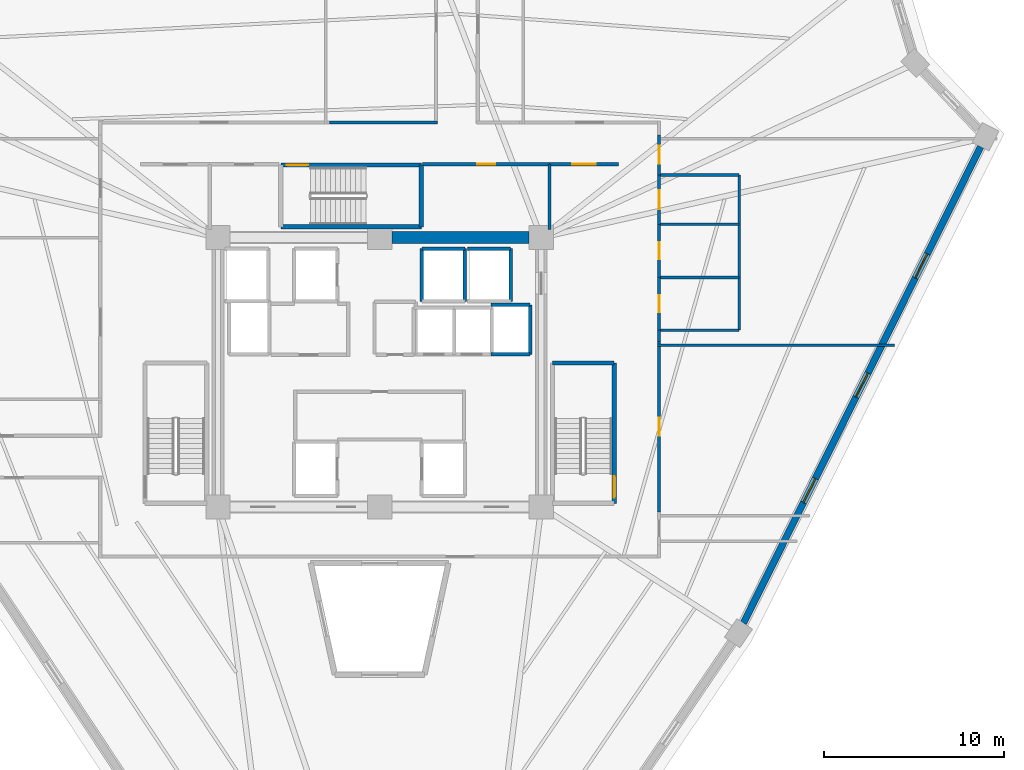
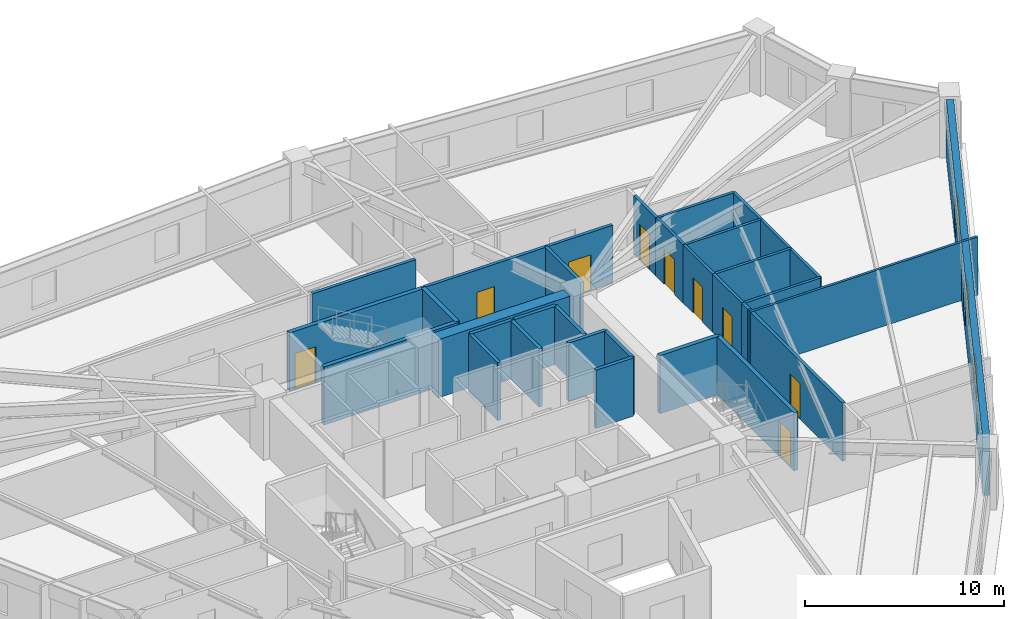
# One storey, part 6 of 8: 31 walls, 9 doors, 3 windows, 12 openings.
"""IFC4 building model written with IfcOpenShell, lengths in metres."""

from ifc_helpers import new_model, si_unit, direction, frame, frame_2d, origin, place, context, subcontext, project, spatial, rectangle, extrude, source, transform, mapped, material, layer, layer_set, type_object, element, fill, save


model = new_model("IFC4")

# Units and contexts
model_context = context("Model", 3, precision=1e-05, world=origin(), true_north=direction((0.0, 1.0)))
body_context = subcontext(model_context, "Body", "Model", "MODEL_VIEW")
ifc_project = project(units=[si_unit("LENGTHUNIT", "METRE"), si_unit("AREAUNIT", "SQUARE_METRE"), si_unit("VOLUMEUNIT", "CUBIC_METRE"), si_unit("PLANEANGLEUNIT", "RADIAN"), si_unit("MASSUNIT", "GRAM", prefix="KILO")], contexts=[model_context])

# Site, building, storey
site_placement = place(None, origin())
site = spatial("IfcSite", under=ifc_project, at=site_placement, CompositionType="ELEMENT")
building_placement = place(site_placement, origin())
building = spatial("IfcBuilding", under=site, at=building_placement, Name="Liaohun Quay Tower", CompositionType="ELEMENT")
storey_placement = place(building_placement, frame((0.0, 0.0, 209.25)))
storey = spatial("IfcBuildingStorey", under=building, at=storey_placement, Name="L54", CompositionType="ELEMENT", Elevation=209.25)

# Wall
ifc_material_1 = material(Name="Concrete C55", Category="concrete")
ifc_layer_1 = layer(ifc_material_1, 0.64990234375, Name="Concrete C55", Category="concrete")
ifc_layer_set_1 = layer_set([ifc_layer_1], Name="Concrete C55")
wall_type_1 = type_object("IfcWallType", Name="WAL-COR-Z3", PredefinedType="SHEAR", material=ifc_layer_set_1)
wall_1_placement = place(storey_placement, frame((60.675048828125, 61.5, 0.0), z_axis=(0.0, 0.0, 1.0), x_axis=(1.0, 0.0, 0.0)))
element("IfcWall", 1, at=wall_1_placement, inside=storey, type_object=wall_type_1, Name="L54 Central Core Shear Wall N-E", PredefinedType="SHEAR", context=body_context, shape_type="SweptSolid", body=[
    extrude(rectangle(XDim=7.64990234375, YDim=0.64990234375, at=frame_2d((3.824951171875, 0.0))), origin(), (0.0, 0.0, 1.0), 3.570068359375),
])

# Wall, openings, windows
ifc_material_2 = material(Name="Precast concrete C50 insulated sandwich", Category="concrete")
ifc_layer_2 = layer(ifc_material_2, 0.3798828125, Name="Precast concrete C50 insulated sandwich", Category="concrete")
ifc_layer_set_2 = layer_set([ifc_layer_2], Name="Precast concrete C50 insulated sandwich")
wall_type_2 = type_object("IfcWallType", Name="WAL-EXT-Z34", PredefinedType="SOLIDWALL", material=ifc_layer_set_2)
wall_2_placement = place(storey_placement, frame((80.2490234375, 40.02392578125, 0.0), z_axis=(0.0, 0.0, 1.0), x_axis=(0.445750225077, 0.895157381047, 0.0)))
wall_2 = element("IfcWall", 2, at=wall_2_placement, inside=storey, type_object=wall_type_2, Name="L54 Brutalist Precast Pier Wall 03", PredefinedType="SOLIDWALL", context=body_context, shape_type="SweptSolid", body=[
    extrude(rectangle(XDim=29.641845703125, YDim=0.3798828125, at=frame_2d((14.82080078125, 0.0))), origin(), (0.0, 0.0, 1.0), 3.570068359375),
])
shared_shape_1 = source(origin(), body_context, "Body", "SweptSolid", [
    extrude(rectangle(XDim=1.5, YDim=1.89990234375, at=frame_2d((0.75, 0.949951171875))), frame((0.0, 0.199951171875, 0.0), z_axis=(0.0, -1.0, 0.0), x_axis=(1.0, 0.0, 0.0)), (0.0, 0.0, 1.0), 0.39990234375),
])
opening_1_placement = place(wall_2_placement, frame((7.510009765625, 0.0, 0.550048828125)))
opening_1 = element("IfcOpeningElement", 3, at=opening_1_placement, cuts=wall_2, Name="Opening W03", PredefinedType="OPENING", context=body_context, shape_type="MappedRepresentation", body=[
    mapped(shared_shape_1, transform((0.0, 0.0, 0.0), x_axis=(1.0, 0.0, 0.0), y_axis=(0.0, 1.0, 0.0), z_axis=(0.0, 0.0, 1.0), scale=1.0)),
])
opening_2_placement = place(wall_2_placement, frame((14.071044921875, 0.0, 0.550048828125)))
opening_2 = element("IfcOpeningElement", 4, at=opening_2_placement, cuts=wall_2, Name="Opening W03", PredefinedType="OPENING", context=body_context, shape_type="MappedRepresentation", body=[
    mapped(shared_shape_1, transform((0.0, 0.0, 0.0), x_axis=(1.0, 0.0, 0.0), y_axis=(0.0, 1.0, 0.0), z_axis=(0.0, 0.0, 1.0), scale=1.0)),
])
opening_3_placement = place(wall_2_placement, frame((21.48095703125, 0.0, 0.550048828125)))
opening_3 = element("IfcOpeningElement", 5, at=opening_3_placement, cuts=wall_2, Name="Opening W03", PredefinedType="OPENING", context=body_context, shape_type="MappedRepresentation", body=[
    mapped(shared_shape_1, transform((0.0, 0.0, 0.0), x_axis=(1.0, 0.0, 0.0), y_axis=(0.0, 1.0, 0.0), z_axis=(0.0, 0.0, 1.0), scale=1.0)),
])
ifc_material_3 = material(Name="Triple Low-E argon glazing in thermally broken aluminium", Category="aluminium")
window_type = type_object("IfcWindowType", Name="WIN-PUN-Z3", PartitioningType="DOUBLE_PANEL_VERTICAL", PredefinedType="WINDOW", material=ifc_material_3)
shared_shape_2 = source(origin(), body_context, "Body", "SweptSolid", [
    extrude(rectangle(XDim=1.5, YDim=1.89990234375, at=frame_2d((0.75, 0.949951171875))), frame((0.0, 0.030029296875, 0.0), z_axis=(0.0, -1.0, 0.0), x_axis=(1.0, 0.0, 0.0)), (0.0, 0.0, 1.0), 0.06005859375),
])
window_1_placement = place(opening_1_placement, origin())
window_1 = element("IfcWindow", 6, at=window_1_placement, inside=storey, type_object=window_type, Name="L54 Recessed Cold-Climate Punched Window 03-1", OverallHeight=1.89990234375, OverallWidth=1.5, PartitioningType="DOUBLE_PANEL_VERTICAL", PredefinedType="WINDOW", context=body_context, shape_type="MappedRepresentation", body=[
    mapped(shared_shape_2, transform((0.0, 0.0, 0.0), x_axis=(1.0, 0.0, 0.0), y_axis=(0.0, 1.0, 0.0), z_axis=(0.0, 0.0, 1.0), scale=1.0)),
])
fill(opening_1, window_1)
window_2_placement = place(opening_2_placement, origin())
window_2 = element("IfcWindow", 7, at=window_2_placement, inside=storey, type_object=window_type, Name="L54 Recessed Cold-Climate Punched Window 03-2", OverallHeight=1.89990234375, OverallWidth=1.5, PartitioningType="DOUBLE_PANEL_VERTICAL", PredefinedType="WINDOW", context=body_context, shape_type="MappedRepresentation", body=[
    mapped(shared_shape_2, transform((0.0, 0.0, 0.0), x_axis=(1.0, 0.0, 0.0), y_axis=(0.0, 1.0, 0.0), z_axis=(0.0, 0.0, 1.0), scale=1.0)),
])
fill(opening_2, window_2)
window_3_placement = place(opening_3_placement, origin())
window_3 = element("IfcWindow", 8, at=window_3_placement, inside=storey, type_object=window_type, Name="L54 Recessed Cold-Climate Punched Window 03-3", OverallHeight=1.89990234375, OverallWidth=1.5, PartitioningType="DOUBLE_PANEL_VERTICAL", PredefinedType="WINDOW", context=body_context, shape_type="MappedRepresentation", body=[
    mapped(shared_shape_2, transform((0.0, 0.0, 0.0), x_axis=(1.0, 0.0, 0.0), y_axis=(0.0, 1.0, 0.0), z_axis=(0.0, 0.0, 1.0), scale=1.0)),
])
fill(opening_3, window_3)

# Wall, opening, door
ifc_material_4 = material(Name="Autoclaved aerated concrete blockwork", Category="masonry")
ifc_layer_3 = layer(ifc_material_4, 0.179931640625, Name="Autoclaved aerated concrete blockwork", Category="masonry")
ifc_layer_set_3 = layer_set([ifc_layer_3], Name="Autoclaved aerated concrete blockwork")
wall_type_3 = type_object("IfcWallType", Name="WAL-PRT-COR", PredefinedType="PARTITIONING", material=ifc_layer_set_3)
wall_3_placement = place(storey_placement, frame((62.389892578125, 65.580078125, 0.0), z_axis=(0.0, 0.0, 1.0), x_axis=(1.0, 0.0, 0.0)))
wall_3 = element("IfcWall", 9, at=wall_3_placement, inside=storey, type_object=wall_type_3, Name="L54 Interior Partition Wall 008", PredefinedType="PARTITIONING", context=body_context, shape_type="SweptSolid", body=[
    extrude(rectangle(XDim=7.070068359375, YDim=0.179931640625, at=frame_2d((3.53515625, 0.0))), origin(), (0.0, 0.0, 1.0), 3.570068359375),
])
shared_shape_3 = source(origin(), body_context, "Body", "SweptSolid", [
    extrude(rectangle(XDim=1.0, YDim=2.199951171875, at=frame_2d((0.5, 1.10009765625))), frame((0.0, 0.099853515625, 0.0), z_axis=(0.0, -1.0, 0.0), x_axis=(1.0, 0.0, 0.0)), (0.0, 0.0, 1.0), 0.199951171875),
])
opening_4_placement = place(wall_3_placement, frame((3.034912109375, 0.0, 0.0)))
opening_4 = element("IfcOpeningElement", 10, at=opening_4_placement, cuts=wall_3, Name="Opening OD1", PredefinedType="OPENING", context=body_context, shape_type="MappedRepresentation", body=[
    mapped(shared_shape_3, transform((0.0, 0.0, 0.0), x_axis=(1.0, 0.0, 0.0), y_axis=(0.0, 1.0, 0.0), z_axis=(0.0, 0.0, 1.0), scale=1.0)),
])
ifc_material_5 = material(Name="Solid-core oak veneer timber leaf in steel frame", Category="steel")
door_type_1 = type_object("IfcDoorType", Name="DOR-OFF-1000", OperationType="NOTDEFINED", PredefinedType="DOOR", material=ifc_material_5)
shared_shape_4 = source(origin(), body_context, "Body", "SweptSolid", [
    extrude(rectangle(XDim=1.0, YDim=2.199951171875, at=frame_2d((0.5, 1.10009765625))), frame((0.0, 0.02490234375, 0.0), z_axis=(0.0, -1.0, 0.0), x_axis=(1.0, 0.0, 0.0)), (0.0, 0.0, 1.0), 0.050048828125),
])
door_1_placement = place(opening_4_placement, origin())
door_1 = element("IfcDoor", 11, at=door_1_placement, inside=storey, type_object=door_type_1, Name="L54 North-East Archive and Mail Room Door", OperationType="SINGLE_SWING_LEFT", OverallHeight=2.199951171875, OverallWidth=1.0, PredefinedType="DOOR", context=body_context, shape_type="MappedRepresentation", body=[
    mapped(shared_shape_4, transform((0.0, 0.0, 0.0), x_axis=(1.0, 0.0, 0.0), y_axis=(0.0, 1.0, 0.0), z_axis=(0.0, 0.0, 1.0), scale=1.0)),
])
fill(opening_4, door_1)

wall_4_placement = place(storey_placement, frame((69.4599609375, 65.580078125, 0.0), z_axis=(0.0, 0.0, 1.0), x_axis=(1.0, 0.0, 0.0)))
wall_4 = element("IfcWall", 12, at=wall_4_placement, inside=storey, type_object=wall_type_3, Name="L54 Interior Partition Wall 010", PredefinedType="PARTITIONING", context=body_context, shape_type="SweptSolid", body=[
    extrude(rectangle(XDim=3.840087890625, YDim=0.179931640625, at=frame_2d((1.919921875, 0.0))), origin(), (0.0, 0.0, 1.0), 3.570068359375),
])
shared_shape_5 = source(origin(), body_context, "Body", "SweptSolid", [
    extrude(rectangle(XDim=1.300048828125, YDim=2.199951171875, at=frame_2d((0.64990234375, 1.10009765625))), frame((0.0, 0.099853515625, 0.0), z_axis=(0.0, -1.0, 0.0), x_axis=(1.0, 0.0, 0.0)), (0.0, 0.0, 1.0), 0.199951171875),
])
opening_5_placement = place(wall_4_placement, frame((1.27001953125, 0.0, 0.0)))
opening_5 = element("IfcOpeningElement", 13, at=opening_5_placement, cuts=wall_4, Name="Opening FD1", PredefinedType="OPENING", context=body_context, shape_type="MappedRepresentation", body=[
    mapped(shared_shape_5, transform((0.0, 0.0, 0.0), x_axis=(1.0, 0.0, 0.0), y_axis=(0.0, 1.0, 0.0), z_axis=(0.0, 0.0, 1.0), scale=1.0)),
])
ifc_material_6 = material(Name="Galvanised steel smokeproof fire door", Category="steel")
door_type_2 = type_object("IfcDoorType", Name="DOR-FFL-1300", OperationType="NOTDEFINED", PredefinedType="DOOR", material=ifc_material_6)
shared_shape_6 = source(origin(), body_context, "Body", "SweptSolid", [
    extrude(rectangle(XDim=1.300048828125, YDim=2.199951171875, at=frame_2d((0.64990234375, 1.10009765625))), frame((0.0, 0.02490234375, 0.0), z_axis=(0.0, -1.0, 0.0), x_axis=(1.0, 0.0, 0.0)), (0.0, 0.0, 1.0), 0.050048828125),
])
door_2_placement = place(opening_5_placement, origin())
door_2 = element("IfcDoor", 14, at=door_2_placement, inside=storey, type_object=door_type_2, Name="L54 East Core Vestibule Door", OperationType="SINGLE_SWING_LEFT", OverallHeight=2.199951171875, OverallWidth=1.300048828125, PredefinedType="DOOR", context=body_context, shape_type="MappedRepresentation", body=[
    mapped(shared_shape_6, transform((0.0, 0.0, 0.0), x_axis=(1.0, 0.0, 0.0), y_axis=(0.0, 1.0, 0.0), z_axis=(0.0, 0.0, 1.0), scale=1.0)),
])
fill(opening_5, door_2)

wall_5_placement = place(storey_placement, frame((75.56005859375, 67.215087890625, 0.0), z_axis=(0.0, 0.0, 1.0), x_axis=(0.0, -1.0, 0.0)))
wall_5 = element("IfcWall", 15, at=wall_5_placement, inside=storey, type_object=wall_type_3, Name="L54 Interior Partition Wall 011", PredefinedType="PARTITIONING", context=body_context, shape_type="SweptSolid", body=[
    extrude(rectangle(XDim=2.235107421875, YDim=0.179931640625, at=frame_2d((1.11767578125, 0.0))), origin(), (0.0, 0.0, 1.0), 3.570068359375),
])
opening_6_placement = place(wall_5_placement, frame((0.616943359375, 0.0, 0.0)))
opening_6 = element("IfcOpeningElement", 16, at=opening_6_placement, cuts=wall_5, Name="Opening OD1", PredefinedType="OPENING", context=body_context, shape_type="MappedRepresentation", body=[
    mapped(shared_shape_3, transform((0.0, 0.0, 0.0), x_axis=(1.0, 0.0, 0.0), y_axis=(0.0, 1.0, 0.0), z_axis=(0.0, 0.0, 1.0), scale=1.0)),
])
door_3_placement = place(opening_6_placement, origin())
door_3 = element("IfcDoor", 17, at=door_3_placement, inside=storey, type_object=door_type_1, Name="L54 Staff Daycare Nursery 01 Door", OperationType="SINGLE_SWING_RIGHT", OverallHeight=2.199951171875, OverallWidth=1.0, PredefinedType="DOOR", context=body_context, shape_type="MappedRepresentation", body=[
    mapped(shared_shape_4, transform((0.0, 0.0, 0.0), x_axis=(1.0, 0.0, 0.0), y_axis=(0.0, 1.0, 0.0), z_axis=(0.0, 0.0, 1.0), scale=1.0)),
])
fill(opening_6, door_3)

wall_6_placement = place(storey_placement, frame((75.56005859375, 55.715087890625, 0.0), z_axis=(0.0, 0.0, 1.0), x_axis=(0.0, -1.0, 0.0)))
wall_6 = element("IfcWall", 18, at=wall_6_placement, inside=storey, type_object=wall_type_3, Name="L54 Interior Partition Wall 022", PredefinedType="PARTITIONING", context=body_context, shape_type="SweptSolid", body=[
    extrude(rectangle(XDim=9.5, YDim=0.179931640625, at=frame_2d((4.75, 0.0))), origin(), (0.0, 0.0, 1.0), 3.570068359375),
])
opening_7_placement = place(wall_6_placement, frame((4.25, 0.0, 0.0)))
opening_7 = element("IfcOpeningElement", 19, at=opening_7_placement, cuts=wall_6, Name="Opening OD1", PredefinedType="OPENING", context=body_context, shape_type="MappedRepresentation", body=[
    mapped(shared_shape_3, transform((0.0, 0.0, 0.0), x_axis=(1.0, 0.0, 0.0), y_axis=(0.0, 1.0, 0.0), z_axis=(0.0, 0.0, 1.0), scale=1.0)),
])
door_4_placement = place(opening_7_placement, origin())
door_4 = element("IfcDoor", 20, at=door_4_placement, inside=storey, type_object=door_type_1, Name="L54 Client Reception Office 12 Door", OperationType="SINGLE_SWING_LEFT", OverallHeight=2.199951171875, OverallWidth=1.0, PredefinedType="DOOR", context=body_context, shape_type="MappedRepresentation", body=[
    mapped(shared_shape_4, transform((0.0, 0.0, 0.0), x_axis=(1.0, 0.0, 0.0), y_axis=(0.0, 1.0, 0.0), z_axis=(0.0, 0.0, 1.0), scale=1.0)),
])
fill(opening_7, door_4)

# Walls
wall_7_placement = place(storey_placement, frame((69.4599609375, 61.949951171875, 0.0), z_axis=(0.0, 0.0, 1.0), x_axis=(0.0, 1.0, 0.0)))
element("IfcWall", 21, at=wall_7_placement, inside=storey, type_object=wall_type_3, Name="L54 Interior Partition Wall 032", PredefinedType="PARTITIONING", context=body_context, shape_type="SweptSolid", body=[
    extrude(rectangle(XDim=3.630126953125, YDim=0.179931640625, at=frame_2d((1.81494140625, 0.0))), origin(), (0.0, 0.0, 1.0), 3.570068359375),
])
wall_8_placement = place(storey_placement, frame((75.56005859375, 56.340087890625, 0.0), z_axis=(0.0, 0.0, 1.0), x_axis=(0.0, -1.0, 0.0)))
element("IfcWall", 22, at=wall_8_placement, inside=storey, type_object=wall_type_3, Name="L54 Interior Partition Wall 033", PredefinedType="PARTITIONING", context=body_context, shape_type="SweptSolid", body=[
    extrude(rectangle(XDim=0.625, YDim=0.179931640625, at=frame_2d((0.3125, 0.0))), origin(), (0.0, 0.0, 1.0), 3.570068359375),
])
wall_9_placement = place(storey_placement, frame((57.215087890625, 67.909912109375, 0.0), z_axis=(0.0, 0.0, 1.0), x_axis=(1.0, 0.0, 0.0)))
element("IfcWall", 23, at=wall_9_placement, inside=storey, type_object=wall_type_3, Name="L54 Interior Partition Wall 036", PredefinedType="PARTITIONING", context=body_context, shape_type="SweptSolid", body=[
    extrude(rectangle(XDim=5.994873046875, YDim=0.179931640625, at=frame_2d((2.99755859375, 0.0))), origin(), (0.0, 0.0, 1.0), 3.570068359375),
])
ifc_material_7 = material(Name="Gypsum board on twin steel studs", Category="steel")
ifc_layer_4 = layer(ifc_material_7, 0.139892578125, Name="Gypsum board on twin steel studs", Category="steel")
ifc_layer_set_4 = layer_set([ifc_layer_4], Name="Gypsum board on twin steel studs")
wall_type_4 = type_object("IfcWallType", Name="WAL-PRT-OFF", PredefinedType="PARTITIONING", material=ifc_layer_set_4)
wall_10_placement = place(storey_placement, frame((75.4599609375, 55.5, 0.0), z_axis=(0.0, 0.0, 1.0), x_axis=(1.0, 0.0, 0.0)))
element("IfcWall", 24, at=wall_10_placement, inside=storey, type_object=wall_type_4, Name="L54 Interior Partition Wall 048", PredefinedType="PARTITIONING", context=body_context, shape_type="SweptSolid", body=[
    extrude(rectangle(XDim=13.198974609375, YDim=0.139892578125, at=frame_2d((6.599609375, 0.0))), origin(), (0.0, 0.0, 1.0), 3.570068359375),
])

# Wall, opening, door
ifc_material_8 = material(Name="Moisture-resistant masonry blockwork", Category="masonry")
ifc_layer_5 = layer(ifc_material_8, 0.159912109375, Name="Moisture-resistant masonry blockwork", Category="masonry")
ifc_layer_set_5 = layer_set([ifc_layer_5], Name="Moisture-resistant masonry blockwork")
wall_type_5 = type_object("IfcWallType", Name="WAL-PRT-WET", PredefinedType="PARTITIONING", material=ifc_layer_set_5)
wall_11_placement = place(storey_placement, frame((75.56005859375, 56.340087890625, 0.0), z_axis=(0.0, 0.0, 1.0), x_axis=(0.0, 1.0, 0.0)))
wall_11 = element("IfcWall", 25, at=wall_11_placement, inside=storey, type_object=wall_type_5, Name="L54 Interior Partition Wall 004", PredefinedType="PARTITIONING", context=body_context, shape_type="SweptSolid", body=[
    extrude(rectangle(XDim=2.93994140625, YDim=0.159912109375, at=frame_2d((1.469970703125, 0.0))), origin(), (0.0, 0.0, 1.0), 3.570068359375),
])
shared_shape_7 = source(origin(), body_context, "Body", "SweptSolid", [
    extrude(rectangle(XDim=0.949951171875, YDim=2.14990234375, at=frame_2d((0.47509765625, 1.074951171875))), frame((0.0, 0.08984375, 0.0), z_axis=(0.0, -1.0, 0.0), x_axis=(1.0, 0.0, 0.0)), (0.0, 0.0, 1.0), 0.179931640625),
])
opening_8_placement = place(wall_11_placement, frame((0.9951171875, 0.0, 0.0)))
opening_8 = element("IfcOpeningElement", 26, at=opening_8_placement, cuts=wall_11, Name="Opening WD1", PredefinedType="OPENING", context=body_context, shape_type="MappedRepresentation", body=[
    mapped(shared_shape_7, transform((0.0, 0.0, 0.0), x_axis=(1.0, 0.0, 0.0), y_axis=(0.0, 1.0, 0.0), z_axis=(0.0, 0.0, 1.0), scale=1.0)),
])
ifc_material_9 = material(Name="Moisture-resistant laminate timber leaf", Category="wood")
door_type_3 = type_object("IfcDoorType", Name="DOR-WC-950", OperationType="NOTDEFINED", PredefinedType="DOOR", material=ifc_material_9)
shared_shape_8 = source(origin(), body_context, "Body", "SweptSolid", [
    extrude(rectangle(XDim=0.949951171875, YDim=2.14990234375, at=frame_2d((0.47509765625, 1.074951171875))), frame((0.0, 0.02490234375, 0.0), z_axis=(0.0, -1.0, 0.0), x_axis=(1.0, 0.0, 0.0)), (0.0, 0.0, 1.0), 0.050048828125),
])
door_5_placement = place(opening_8_placement, origin())
door_5 = element("IfcDoor", 27, at=door_5_placement, inside=storey, type_object=door_type_3, Name="L54 Male Restroom WC Door", OperationType="SINGLE_SWING_LEFT", OverallHeight=2.14990234375, OverallWidth=0.949951171875, PredefinedType="DOOR", context=body_context, shape_type="MappedRepresentation", body=[
    mapped(shared_shape_8, transform((0.0, 0.0, 0.0), x_axis=(1.0, 0.0, 0.0), y_axis=(0.0, 1.0, 0.0), z_axis=(0.0, 0.0, 1.0), scale=1.0)),
])
fill(opening_8, door_5)

wall_12_placement = place(storey_placement, frame((75.56005859375, 59.280029296875, 0.0), z_axis=(0.0, 0.0, 1.0), x_axis=(0.0, 1.0, 0.0)))
wall_12 = element("IfcWall", 28, at=wall_12_placement, inside=storey, type_object=wall_type_5, Name="L54 Interior Partition Wall 005", PredefinedType="PARTITIONING", context=body_context, shape_type="SweptSolid", body=[
    extrude(rectangle(XDim=2.9599609375, YDim=0.159912109375, at=frame_2d((1.47998046875, 0.0))), origin(), (0.0, 0.0, 1.0), 3.570068359375),
])
opening_9_placement = place(wall_12_placement, frame((1.0048828125, 0.0, 0.0)))
opening_9 = element("IfcOpeningElement", 29, at=opening_9_placement, cuts=wall_12, Name="Opening WD1", PredefinedType="OPENING", context=body_context, shape_type="MappedRepresentation", body=[
    mapped(shared_shape_7, transform((0.0, 0.0, 0.0), x_axis=(1.0, 0.0, 0.0), y_axis=(0.0, 1.0, 0.0), z_axis=(0.0, 0.0, 1.0), scale=1.0)),
])
door_6_placement = place(opening_9_placement, origin())
door_6 = element("IfcDoor", 30, at=door_6_placement, inside=storey, type_object=door_type_3, Name="L54 Female Restroom WC Door", OperationType="SINGLE_SWING_RIGHT", OverallHeight=2.14990234375, OverallWidth=0.949951171875, PredefinedType="DOOR", context=body_context, shape_type="MappedRepresentation", body=[
    mapped(shared_shape_8, transform((0.0, 0.0, 0.0), x_axis=(1.0, 0.0, 0.0), y_axis=(0.0, 1.0, 0.0), z_axis=(0.0, 0.0, 1.0), scale=1.0)),
])
fill(opening_9, door_6)

wall_13_placement = place(storey_placement, frame((75.56005859375, 62.239990234375, 0.0), z_axis=(0.0, 0.0, 1.0), x_axis=(0.0, 1.0, 0.0)))
wall_13 = element("IfcWall", 31, at=wall_13_placement, inside=storey, type_object=wall_type_5, Name="L54 Interior Partition Wall 006", PredefinedType="PARTITIONING", context=body_context, shape_type="SweptSolid", body=[
    extrude(rectangle(XDim=2.739990234375, YDim=0.159912109375, at=frame_2d((1.3701171875, 0.0))), origin(), (0.0, 0.0, 1.0), 3.570068359375),
])
shared_shape_9 = source(origin(), body_context, "Body", "SweptSolid", [
    extrude(rectangle(XDim=1.050048828125, YDim=2.14990234375, at=frame_2d((0.52490234375, 1.074951171875))), frame((0.0, 0.08984375, 0.0), z_axis=(0.0, -1.0, 0.0), x_axis=(1.0, 0.0, 0.0)), (0.0, 0.0, 1.0), 0.179931640625),
])
opening_10_placement = place(wall_13_placement, frame((0.844970703125, 0.0, 0.0)))
opening_10 = element("IfcOpeningElement", 32, at=opening_10_placement, cuts=wall_13, Name="Opening WD2", PredefinedType="OPENING", context=body_context, shape_type="MappedRepresentation", body=[
    mapped(shared_shape_9, transform((0.0, 0.0, 0.0), x_axis=(1.0, 0.0, 0.0), y_axis=(0.0, 1.0, 0.0), z_axis=(0.0, 0.0, 1.0), scale=1.0)),
])
ifc_material_10 = material(Name="Accessible outward-swinging laminate door")
door_type_4 = type_object("IfcDoorType", Name="DOR-AWC-1050", OperationType="NOTDEFINED", PredefinedType="DOOR", material=ifc_material_10)
shared_shape_10 = source(origin(), body_context, "Body", "SweptSolid", [
    extrude(rectangle(XDim=1.050048828125, YDim=2.14990234375, at=frame_2d((0.52490234375, 1.074951171875))), frame((0.0, 0.02490234375, 0.0), z_axis=(0.0, -1.0, 0.0), x_axis=(1.0, 0.0, 0.0)), (0.0, 0.0, 1.0), 0.050048828125),
])
door_7_placement = place(opening_10_placement, origin())
door_7 = element("IfcDoor", 33, at=door_7_placement, inside=storey, type_object=door_type_4, Name="L54 Accessible WC Door", OperationType="SINGLE_SWING_LEFT", OverallHeight=2.14990234375, OverallWidth=1.050048828125, PredefinedType="DOOR", context=body_context, shape_type="MappedRepresentation", body=[
    mapped(shared_shape_10, transform((0.0, 0.0, 0.0), x_axis=(1.0, 0.0, 0.0), y_axis=(0.0, 1.0, 0.0), z_axis=(0.0, 0.0, 1.0), scale=1.0)),
])
fill(opening_10, door_7)

# Walls
wall_14_placement = place(storey_placement, frame((80.02001953125, 56.340087890625, 0.0), z_axis=(0.0, 0.0, 1.0), x_axis=(0.0, 1.0, 0.0)))
element("IfcWall", 34, at=wall_14_placement, inside=storey, type_object=wall_type_5, Name="L54 Interior Partition Wall 026", PredefinedType="PARTITIONING", context=body_context, shape_type="SweptSolid", body=[
    extrude(rectangle(XDim=8.639892578125, YDim=0.159912109375, at=frame_2d((4.31982421875, 0.0))), origin(), (0.0, 0.0, 1.0), 3.570068359375),
])
for number, where, z_axis, x_axis, name in (
    (35, (75.56005859375, 56.340087890625, 0.0), (0.0, 0.0, 1.0), (1.0, 0.0, 0.0), "L54 Interior Partition Wall 027"),
    (36, (75.56005859375, 59.280029296875, 0.0), (0.0, 0.0, 1.0), (1.0, 0.0, 0.0), "L54 Interior Partition Wall 028"),
    (37, (75.56005859375, 62.239990234375, 0.0), (0.0, 0.0, 1.0), (1.0, 0.0, 0.0), "L54 Interior Partition Wall 029"),
    (38, (75.56005859375, 64.97998046875, 0.0), (0.0, 0.0, 1.0), (1.0, 0.0, 0.0), "L54 Interior Partition Wall 030"),
):
    element("IfcWall", number, at=place(storey_placement, frame(where, z_axis=z_axis, x_axis=x_axis)), inside=storey, type_object=wall_type_5, Name=name, PredefinedType="PARTITIONING", context=body_context, shape_type="SweptSolid", body=[
        extrude(rectangle(XDim=4.4599609375, YDim=0.159912109375, at=frame_2d((2.22998046875, 0.0))), origin(), (0.0, 0.0, 1.0), 3.570068359375),
    ])

# Wall, opening, door
ifc_material_11 = material(Name="Concrete C50", Category="concrete")
ifc_layer_6 = layer(ifc_material_11, 0.239990234375, Name="Concrete C50", Category="concrete")
ifc_layer_set_6 = layer_set([ifc_layer_6], Name="Concrete C50")
wall_type_6 = type_object("IfcWallType", Name="WAL-SHF-200", PredefinedType="SOLIDWALL", material=ifc_layer_set_6)
wall_15_placement = place(storey_placement, frame((73.06005859375, 46.699951171875, 0.0), z_axis=(0.0, 0.0, 1.0), x_axis=(0.0, 1.0, 0.0)))
wall_15 = element("IfcWall", 39, at=wall_15_placement, inside=storey, type_object=wall_type_6, Name="L54 Stairwell ST-2 Structural Core Wall E", PredefinedType="SOLIDWALL", context=body_context, shape_type="SweptSolid", body=[
    extrude(rectangle(XDim=7.820068359375, YDim=0.239990234375, at=frame_2d((3.91015625, 0.0))), origin(), (0.0, 0.0, 1.0), 3.570068359375),
])
shared_shape_11 = source(origin(), body_context, "Body", "SweptSolid", [
    extrude(rectangle(XDim=1.199951171875, YDim=2.199951171875, at=frame_2d((0.60009765625, 1.10009765625))), frame((0.0, 0.1298828125, 0.0), z_axis=(0.0, -1.0, 0.0), x_axis=(1.0, 0.0, 0.0)), (0.0, 0.0, 1.0), 0.260009765625),
])
opening_11_placement = place(wall_15_placement, frame((0.320068359375, 0.0, 0.0)))
opening_11 = element("IfcOpeningElement", 40, at=opening_11_placement, cuts=wall_15, Name="Opening SD1", PredefinedType="OPENING", context=body_context, shape_type="MappedRepresentation", body=[
    mapped(shared_shape_11, transform((0.0, 0.0, 0.0), x_axis=(1.0, 0.0, 0.0), y_axis=(0.0, 1.0, 0.0), z_axis=(0.0, 0.0, 1.0), scale=1.0)),
])
ifc_material_12 = material(Name="Galvanised steel fire door", Category="steel")
door_type_5 = type_object("IfcDoorType", Name="DOR-STR-1200", OperationType="NOTDEFINED", PredefinedType="DOOR", material=ifc_material_12)
shared_shape_12 = source(origin(), body_context, "Body", "SweptSolid", [
    extrude(rectangle(XDim=1.199951171875, YDim=2.199951171875, at=frame_2d((0.60009765625, 1.10009765625))), frame((0.0, 0.02490234375, 0.0), z_axis=(0.0, -1.0, 0.0), x_axis=(1.0, 0.0, 0.0)), (0.0, 0.0, 1.0), 0.050048828125),
])
door_8_placement = place(opening_11_placement, origin())
door_8 = element("IfcDoor", 41, at=door_8_placement, inside=storey, type_object=door_type_5, Name="L54 Protected Stair ST-2 Fire Door", OperationType="SINGLE_SWING_RIGHT", OverallHeight=2.199951171875, OverallWidth=1.199951171875, PredefinedType="DOOR", context=body_context, shape_type="MappedRepresentation", body=[
    mapped(shared_shape_12, transform((0.0, 0.0, 0.0), x_axis=(1.0, 0.0, 0.0), y_axis=(0.0, 1.0, 0.0), z_axis=(0.0, 0.0, 1.0), scale=1.0)),
])
fill(opening_11, door_8)

# Walls
wall_16_placement = place(storey_placement, frame((73.06005859375, 54.52001953125, 0.0), z_axis=(0.0, 0.0, 1.0), x_axis=(-1.0, 0.0, 0.0)))
element("IfcWall", 42, at=wall_16_placement, inside=storey, type_object=wall_type_6, Name="L54 Stairwell ST-2 Structural Core Wall N", PredefinedType="SOLIDWALL", context=body_context, shape_type="SweptSolid", body=[
    extrude(rectangle(XDim=3.43994140625, YDim=0.239990234375, at=frame_2d((1.719970703125, 0.0))), origin(), (0.0, 0.0, 1.0), 3.570068359375),
])
wall_17_placement = place(storey_placement, frame((54.5, 62.10009765625, 0.0), z_axis=(0.0, 0.0, 1.0), x_axis=(1.0, 0.0, 0.0)))
element("IfcWall", 43, at=wall_17_placement, inside=storey, type_object=wall_type_6, Name="L54 Stairwell ST-3 Structural Core Wall S", PredefinedType="SOLIDWALL", context=body_context, shape_type="SweptSolid", body=[
    extrude(rectangle(XDim=7.820068359375, YDim=0.239990234375, at=frame_2d((3.91015625, 0.0))), origin(), (0.0, 0.0, 1.0), 3.570068359375),
])
wall_18_placement = place(storey_placement, frame((62.320068359375, 62.10009765625, 0.0), z_axis=(0.0, 0.0, 1.0), x_axis=(0.0, 1.0, 0.0)))
element("IfcWall", 44, at=wall_18_placement, inside=storey, type_object=wall_type_6, Name="L54 Stairwell ST-3 Structural Core Wall E", PredefinedType="SOLIDWALL", context=body_context, shape_type="SweptSolid", body=[
    extrude(rectangle(XDim=3.43994140625, YDim=0.239990234375, at=frame_2d((1.719970703125, 0.0))), origin(), (0.0, 0.0, 1.0), 3.570068359375),
])

# Wall, opening, door
wall_19_placement = place(storey_placement, frame((62.320068359375, 65.5400390625, 0.0), z_axis=(0.0, 0.0, 1.0), x_axis=(-1.0, 0.0, 0.0)))
wall_19 = element("IfcWall", 45, at=wall_19_placement, inside=storey, type_object=wall_type_6, Name="L54 Stairwell ST-3 Structural Core Wall N", PredefinedType="SOLIDWALL", context=body_context, shape_type="SweptSolid", body=[
    extrude(rectangle(XDim=7.820068359375, YDim=0.239990234375, at=frame_2d((3.91015625, 0.0))), origin(), (0.0, 0.0, 1.0), 3.570068359375),
])
opening_12_placement = place(wall_19_placement, frame((6.300048828125, 0.0, 0.0)))
opening_12 = element("IfcOpeningElement", 46, at=opening_12_placement, cuts=wall_19, Name="Opening SD1", PredefinedType="OPENING", context=body_context, shape_type="MappedRepresentation", body=[
    mapped(shared_shape_11, transform((0.0, 0.0, 0.0), x_axis=(1.0, 0.0, 0.0), y_axis=(0.0, 1.0, 0.0), z_axis=(0.0, 0.0, 1.0), scale=1.0)),
])
door_9_placement = place(opening_12_placement, origin())
door_9 = element("IfcDoor", 47, at=door_9_placement, inside=storey, type_object=door_type_5, Name="L54 Protected Stair ST-3 Fire Door", OperationType="SINGLE_SWING_RIGHT", OverallHeight=2.199951171875, OverallWidth=1.199951171875, PredefinedType="DOOR", context=body_context, shape_type="MappedRepresentation", body=[
    mapped(shared_shape_12, transform((0.0, 0.0, 0.0), x_axis=(1.0, 0.0, 0.0), y_axis=(0.0, 1.0, 0.0), z_axis=(0.0, 0.0, 1.0), scale=1.0)),
])
fill(opening_12, door_9)

# Walls
wall_20_placement = place(storey_placement, frame((64.75, 57.949951171875, 0.0), z_axis=(0.0, 0.0, 1.0), x_axis=(0.0, 1.0, 0.0)))
element("IfcWall", 48, at=wall_20_placement, inside=storey, type_object=wall_type_6, Name="L54 Lift OB-01 Hoistway Wall E", PredefinedType="SOLIDWALL", context=body_context, shape_type="SweptSolid", body=[
    extrude(rectangle(XDim=2.929931640625, YDim=0.199951171875, at=frame_2d((1.46484375, 0.0))), origin(), (0.0, 0.0, 1.0), 3.570068359375),
])
wall_21_placement = place(storey_placement, frame((64.75, 60.8798828125, 0.0), z_axis=(0.0, 0.0, 1.0), x_axis=(-1.0, 0.0, 0.0)))
element("IfcWall", 49, at=wall_21_placement, inside=storey, type_object=wall_type_6, Name="L54 Lift OB-01 Hoistway Wall N", PredefinedType="SOLIDWALL", context=body_context, shape_type="SweptSolid", body=[
    extrude(rectangle(XDim=2.39990234375, YDim=0.199951171875, at=frame_2d((1.199951171875, 0.0))), origin(), (0.0, 0.0, 1.0), 3.570068359375),
])
for number, where, z_axis, x_axis, name in (
    (50, (62.35009765625, 60.8798828125, 0.0), (0.0, 0.0, 1.0), (0.0, -1.0, 0.0), "L54 Lift OB-01 Hoistway Wall W"),
    (51, (67.300048828125, 57.949951171875, 0.0), (0.0, 0.0, 1.0), (0.0, 1.0, 0.0), "L54 Lift OB-02 Hoistway Wall E"),
):
    element("IfcWall", number, at=place(storey_placement, frame(where, z_axis=z_axis, x_axis=x_axis)), inside=storey, type_object=wall_type_6, Name=name, PredefinedType="SOLIDWALL", context=body_context, shape_type="SweptSolid", body=[
        extrude(rectangle(XDim=2.929931640625, YDim=0.199951171875, at=frame_2d((1.46484375, 0.0))), origin(), (0.0, 0.0, 1.0), 3.570068359375),
    ])
wall_22_placement = place(storey_placement, frame((67.300048828125, 60.8798828125, 0.0), z_axis=(0.0, 0.0, 1.0), x_axis=(-1.0, 0.0, 0.0)))
element("IfcWall", 52, at=wall_22_placement, inside=storey, type_object=wall_type_6, Name="L54 Lift OB-02 Hoistway Wall N", PredefinedType="SOLIDWALL", context=body_context, shape_type="SweptSolid", body=[
    extrude(rectangle(XDim=2.400146484375, YDim=0.199951171875, at=frame_2d((1.2001953125, 0.0))), origin(), (0.0, 0.0, 1.0), 3.570068359375),
])
wall_23_placement = place(storey_placement, frame((66.199951171875, 55.0, 0.0), z_axis=(0.0, 0.0, 1.0), x_axis=(1.0, 0.0, 0.0)))
element("IfcWall", 53, at=wall_23_placement, inside=storey, type_object=wall_type_6, Name="L54 Lift SH-03 Hoistway Wall S", PredefinedType="SOLIDWALL", context=body_context, shape_type="SweptSolid", body=[
    extrude(rectangle(XDim=2.179931640625, YDim=0.199951171875, at=frame_2d((1.08984375, 0.0))), origin(), (0.0, 0.0, 1.0), 3.570068359375),
])
wall_24_placement = place(storey_placement, frame((68.3798828125, 55.0, 0.0), z_axis=(0.0, 0.0, 1.0), x_axis=(0.0, 1.0, 0.0)))
element("IfcWall", 54, at=wall_24_placement, inside=storey, type_object=wall_type_6, Name="L54 Lift SH-03 Hoistway Wall E", PredefinedType="SOLIDWALL", context=body_context, shape_type="SweptSolid", body=[
    extrude(rectangle(XDim=2.75, YDim=0.199951171875, at=frame_2d((1.375, 0.0))), origin(), (0.0, 0.0, 1.0), 3.570068359375),
])
wall_25_placement = place(storey_placement, frame((68.3798828125, 57.75, 0.0), z_axis=(0.0, 0.0, 1.0), x_axis=(-1.0, 0.0, 0.0)))
element("IfcWall", 55, at=wall_25_placement, inside=storey, type_object=wall_type_6, Name="L54 Lift SH-03 Hoistway Wall N", PredefinedType="SOLIDWALL", context=body_context, shape_type="SweptSolid", body=[
    extrude(rectangle(XDim=2.179931640625, YDim=0.199951171875, at=frame_2d((1.08984375, 0.0))), origin(), (0.0, 0.0, 1.0), 3.570068359375),
])

save(model, "model.ifc")
